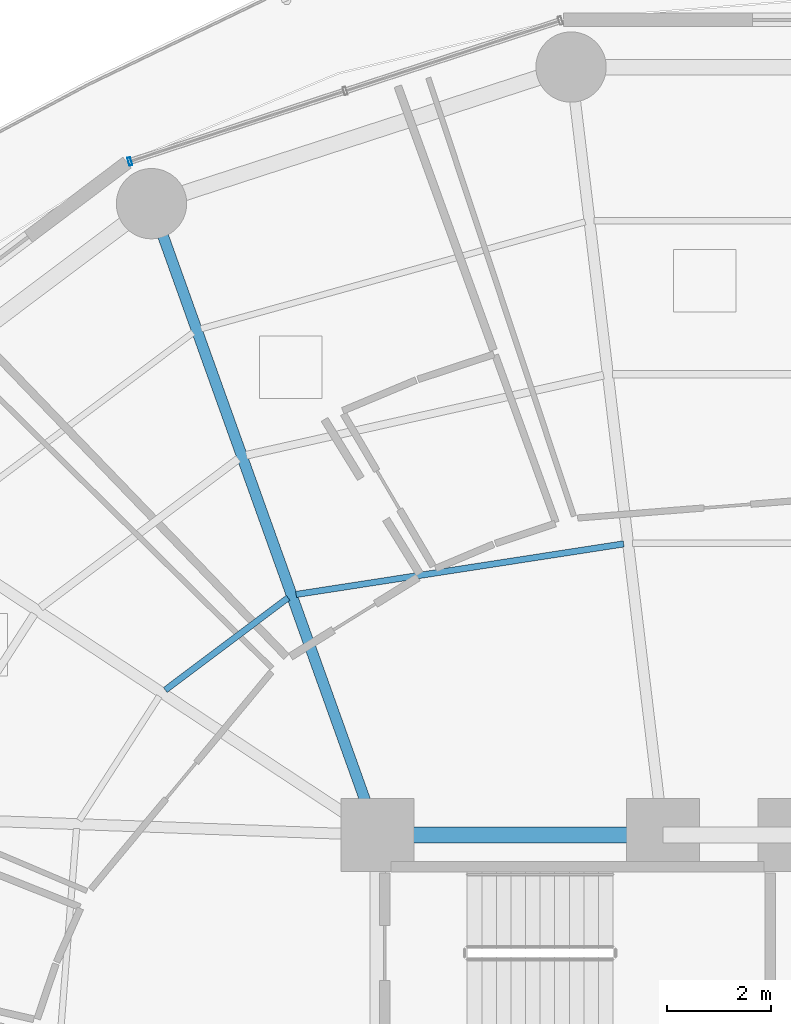
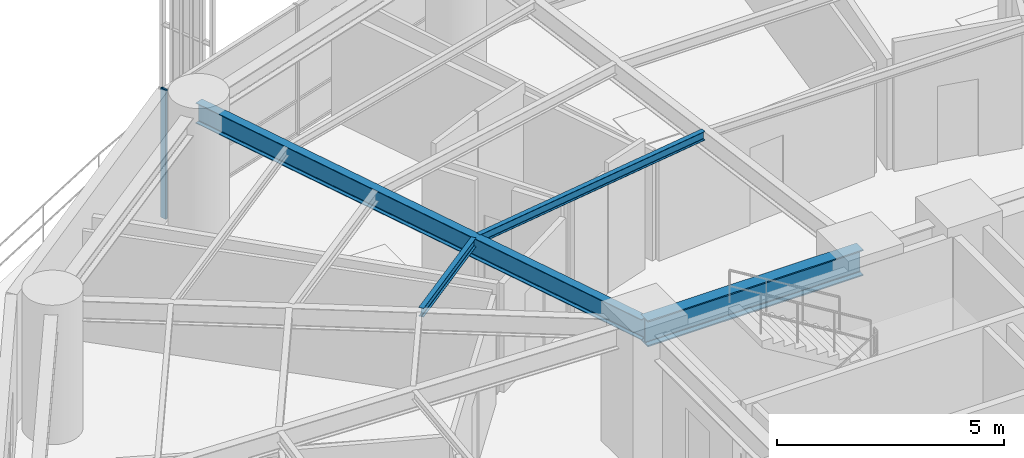
# One storey, part 17 of 33: 4 beams, 1 member, 1 element without a shape of its own.
"""IFC4 building model written with IfcOpenShell, lengths in metres."""

from ifc_helpers import new_model, si_unit, direction, frame, origin, origin_2d, place, context, subcontext, project, spatial, hollow_rectangle, i_section, extrude, material, layer, layer_set, material_profile, profile_set, type_object, element, aggregate, save


model = new_model("IFC4")

# Units and contexts
model_context = context("Model", 3, precision=1e-05, world=origin(), true_north=direction((0.0, 1.0)))
body_context = subcontext(model_context, "Body", "Model", "MODEL_VIEW")
ifc_project = project(units=[si_unit("LENGTHUNIT", "METRE"), si_unit("AREAUNIT", "SQUARE_METRE"), si_unit("VOLUMEUNIT", "CUBIC_METRE"), si_unit("PLANEANGLEUNIT", "RADIAN"), si_unit("MASSUNIT", "GRAM", prefix="KILO")], contexts=[model_context])

# Site, building, storey
site_placement = place(None, origin())
site = spatial("IfcSite", under=ifc_project, at=site_placement, CompositionType="ELEMENT")
building_placement = place(site_placement, origin())
building = spatial("IfcBuilding", under=site, at=building_placement, Name="Kelanora Arch Commons", CompositionType="ELEMENT")
storey_placement = place(building_placement, frame((0.0, 0.0, 80.10009765625)))
storey = spatial("IfcBuildingStorey", under=building, at=storey_placement, Name="L20", CompositionType="ELEMENT", Elevation=80.10009765625)

# Beams
ifc_material_1 = material(Name="Steel S355", Category="steel")
ifc_material_profile_1 = material_profile(ifc_material_1, i_section(OverallWidth=0.300048828125, OverallDepth=0.699951171875, WebThickness=0.01708984375, FlangeThickness=0.031982421875, FilletRadius=0.027099609375, at=origin_2d()), Name="HEB700")
ifc_profile_set_1 = profile_set([ifc_material_profile_1], Name="Steel S355")
beam_type_1 = type_object("IfcBeamType", Name="BM-CORE-HDR", PredefinedType="BEAM", material=ifc_profile_set_1)
beam_1_placement = place(storey_placement, frame((71.47998046875, 65.0, 3.139892578125), z_axis=(-1.0, 0.0, 0.0), x_axis=(0.0, -1.0, 0.0)))
element("IfcBeam", 1, at=beam_1_placement, inside=storey, type_object=beam_type_1, Name="Core Header Beam 07 L20", PredefinedType="BEAM", context=body_context, shape_type="SweptSolid", body=[
    extrude(i_section(OverallWidth=0.300048828125, OverallDepth=0.699951171875, WebThickness=0.01708984375, FlangeThickness=0.031982421875, FilletRadius=0.027099609375, at=origin_2d()), origin(), (0.0, 0.0, 1.0), 5.47998046875),
])
ifc_material_profile_2 = material_profile(ifc_material_1, i_section(OverallWidth=0.1201171875, OverallDepth=0.239990234375, WebThickness=0.006103515625, FlangeThickness=0.009765625, FilletRadius=0.014892578125, at=origin_2d()), Name="IPE240")
ifc_profile_set_2 = profile_set([ifc_material_profile_2], Name="Steel S355")
beam_type_2 = type_object("IfcBeamType", Name="BM-JST-02", PredefinedType="JOIST", material=ifc_profile_set_2)
beam_2_placement = place(storey_placement, frame((70.72509765625, 70.590087890625, 3.369873046875), z_axis=(-0.988295745497, -0.152550055496, 0.0), x_axis=(0.152550055496, -0.988295745497, 0.0)))
element("IfcBeam", 2, at=beam_2_placement, inside=storey, type_object=beam_type_2, Name="Secondary Chord Joist BJA-10 L20", PredefinedType="JOIST", context=body_context, shape_type="SweptSolid", body=[
    extrude(i_section(OverallWidth=0.1201171875, OverallDepth=0.239990234375, WebThickness=0.006103515625, FlangeThickness=0.009765625, FilletRadius=0.014892578125, at=origin_2d()), origin(), (0.0, 0.0, 1.0), 6.36474609375),
])
beam_3_placement = place(storey_placement, frame((64.28271484375, 69.555419921875, 3.369873046875), z_axis=(-0.799692034361, -0.600410401458, 0.0), x_axis=(0.600410401458, -0.799692034361, 0.0)))
element("IfcBeam", 3, at=beam_3_placement, inside=storey, type_object=beam_type_2, Name="Secondary Chord Joist BJA-12 L20", PredefinedType="JOIST", context=body_context, shape_type="SweptSolid", body=[
    extrude(i_section(OverallWidth=0.1201171875, OverallDepth=0.239990234375, WebThickness=0.006103515625, FlangeThickness=0.009765625, FilletRadius=0.014892578125, at=origin_2d()), origin(), (0.0, 0.0, 1.0), 2.949951171875),
])
ifc_material_profile_3 = material_profile(ifc_material_1, i_section(OverallWidth=0.2099609375, OverallDepth=0.550048828125, WebThickness=0.010986328125, FlangeThickness=0.01708984375, FilletRadius=0.02392578125, at=origin_2d()), Name="IPE550")
ifc_profile_set_3 = profile_set([ifc_material_profile_3], Name="Steel S355")
beam_type_3 = type_object("IfcBeamType", Name="BM-RAD-Z2", PredefinedType="BEAM", material=ifc_profile_set_3)
beam_4_placement = place(storey_placement, frame((66.0, 65.0, 3.21484375), z_axis=(-0.337084640008, 0.941474346687, 0.0), x_axis=(-0.941474346687, -0.337084640008, 0.0)))
element("IfcBeam", 4, at=beam_4_placement, inside=storey, type_object=beam_type_3, Name="Radial Floor Girder BR-12 L20", PredefinedType="BEAM", context=body_context, shape_type="SweptSolid", body=[
    extrude(i_section(OverallWidth=0.2099609375, OverallDepth=0.550048828125, WebThickness=0.010986328125, FlangeThickness=0.01708984375, FilletRadius=0.02392578125, at=origin_2d()), origin(), (0.0, 0.0, 1.0), 12.875244140625),
])

# Curtain wall, member
ifc_material_2 = material(Name="Terracotta ceramic-fritted low-E glass and aluminium", Category="masonry")
ifc_layer = layer(ifc_material_2, 0.159912109375)
ifc_layer_set = layer_set([ifc_layer], Name="Terracotta ceramic-fritted low-E glass and aluminium")
curtain_wall_type = type_object("IfcCurtainWallType", Name="CW-SYS-01", PredefinedType="NOTDEFINED", material=ifc_layer_set)
curtain_wall_placement = place(storey_placement, origin())
curtain_wall = element("IfcCurtainWall", 5, at=curtain_wall_placement, inside=storey, type_object=curtain_wall_type, Name="Unitised Curtain Wall L20-B05", PredefinedType="NOTDEFINED")
ifc_material_3 = material(Name="Powder-coated aluminium terracotta", Category="masonry")
ifc_material_profile_4 = material_profile(ifc_material_3, hollow_rectangle(XDim=0.159912109375, YDim=0.06005859375, WallThickness=0.0048828125, InnerFilletRadius=0.0048828125, OuterFilletRadius=0.010009765625, at=origin_2d()), Name="CWM160x60")
ifc_profile_set_4 = profile_set([ifc_material_profile_4], Name="Powder-coated aluminium terracotta")
member_type = type_object("IfcMemberType", Name="CWM-STD", PredefinedType="MULLION", material=ifc_profile_set_4)
member_placement = place(storey_placement, frame((61.242919921875, 77.9326171875, 0.0), z_axis=(0.0, 0.0, 1.0), x_axis=(0.31080470294, -0.950473795867, 0.0)))
member = element("IfcMember", 6, at=member_placement, type_object=member_type, Name="CW-01 mullion 3", PredefinedType="MULLION", context=body_context, shape_type="SweptSolid", body=[
    extrude(hollow_rectangle(XDim=0.159912109375, YDim=0.06005859375, WallThickness=0.0048828125, InnerFilletRadius=0.0048828125, OuterFilletRadius=0.010009765625, at=origin_2d()), origin(), (0.0, 0.0, 1.0), 3.474853515625),
])
aggregate(curtain_wall, [member])

save(model, "model.ifc")
